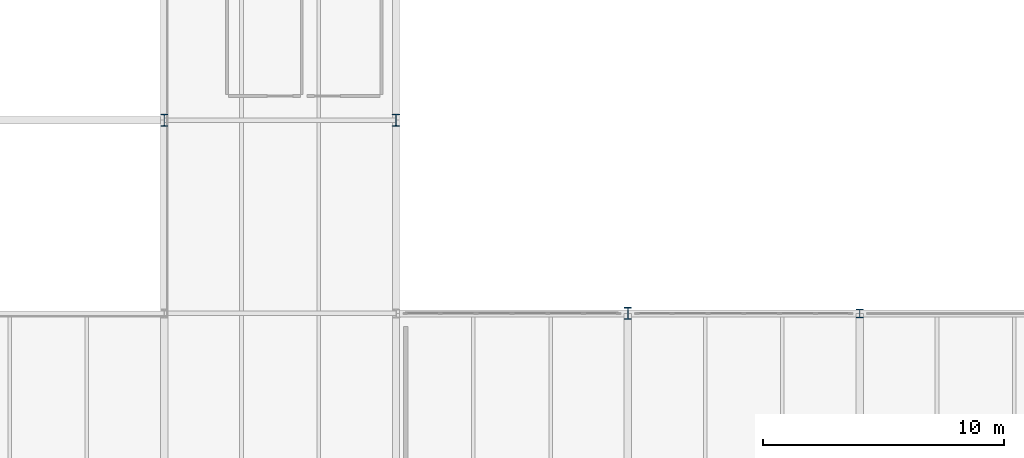
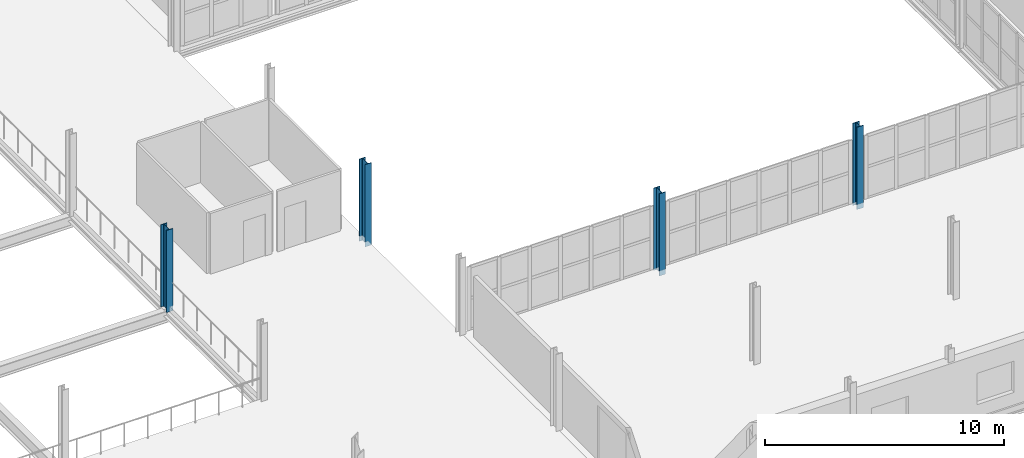
# One storey, part 10 of 78: 4 columns.
"""IFC4 building model written with IfcOpenShell, lengths in metres."""

from ifc_helpers import new_model, si_unit, direction, frame, origin, origin_2d, place, context, subcontext, project, spatial, i_section, extrude, material, material_profile, profile_set, type_object, element, save


model = new_model("IFC4")

# Units and contexts
model_context = context("Model", 3, precision=1e-05, world=origin(), true_north=direction((0.0, 1.0)))
body_context = subcontext(model_context, "Body", "Model", "MODEL_VIEW")
ifc_project = project(units=[si_unit("LENGTHUNIT", "METRE"), si_unit("AREAUNIT", "SQUARE_METRE"), si_unit("VOLUMEUNIT", "CUBIC_METRE"), si_unit("PLANEANGLEUNIT", "RADIAN"), si_unit("MASSUNIT", "GRAM", prefix="KILO")], contexts=[model_context])

# Site, building, storey
site_placement = place(None, origin())
site = spatial("IfcSite", under=ifc_project, at=site_placement, CompositionType="ELEMENT")
building_placement = place(site_placement, origin())
building = spatial("IfcBuilding", under=site, at=building_placement, Name="Alderhovde Museum", CompositionType="ELEMENT")
storey_placement = place(building_placement, frame((0.0, 0.0, 4.5)))
storey = spatial("IfcBuildingStorey", under=building, at=storey_placement, Name="L01", CompositionType="ELEMENT", Elevation=4.5)

# Columns
ifc_material_1 = material(Name="Steel S355J2", Category="steel")
ifc_material_profile_1 = material_profile(ifc_material_1, i_section(OverallWidth=0.300048828125, OverallDepth=0.5, WebThickness=0.014404296875, FlangeThickness=0.028076171875, FilletRadius=0.027099609375, at=origin_2d()), Name="HEB 500")
ifc_profile_set_1 = profile_set([ifc_material_profile_1], Name="Steel S355J2")
column_type_1 = type_object("IfcColumnType", Name="COL-HEB500", PredefinedType="COLUMN", material=ifc_profile_set_1)
for number, where, z_axis, x_axis, name in (
    (1, (105.60009765625, 56.0, -0.260009765625), (0.0, 0.0, 1.0), (1.0, 0.0, 0.0), "L01 Column (105.6, 56.0)"),
    (2, (115.199951171875, 56.0, -0.260009765625), (0.0, 0.0, 1.0), (1.0, 0.0, 0.0), "L01 Column (115.2, 56.0)"),
    (3, (124.800048828125, 48.0, -0.260009765625), (0.0, 0.0, 1.0), (1.0, 0.0, 0.0), "L01 Column (124.8, 48.0)"),
):
    element("IfcColumn", number, at=place(storey_placement, frame(where, z_axis=z_axis, x_axis=x_axis)), inside=storey, type_object=column_type_1, Name=name, PredefinedType="COLUMN", context=body_context, shape_type="SweptSolid", body=[
        extrude(i_section(OverallWidth=0.300048828125, OverallDepth=0.5, WebThickness=0.014404296875, FlangeThickness=0.028076171875, FilletRadius=0.027099609375, at=origin_2d()), origin(), (0.0, 0.0, 1.0), 4.199951171875),
    ])
ifc_material_2 = material(Name="Steel S355J2", Category="steel")
ifc_material_profile_2 = material_profile(ifc_material_2, i_section(OverallWidth=0.30908203125, OverallDepth=0.376953125, WebThickness=0.02099609375, FlangeThickness=0.0400390625, FilletRadius=0.027099609375, at=origin_2d()), Name="HEM 340")
ifc_profile_set_2 = profile_set([ifc_material_profile_2], Name="Steel S355J2")
column_type_2 = type_object("IfcColumnType", Name="COL-HEM340", PredefinedType="COLUMN", material=ifc_profile_set_2)
column_placement = place(storey_placement, frame((134.39990234375, 48.0, -0.260009765625), z_axis=(0.0, 0.0, 1.0), x_axis=(1.0, 0.0, 0.0)))
element("IfcColumn", 4, at=column_placement, inside=storey, type_object=column_type_2, Name="L01 Column (134.4, 48.0)", PredefinedType="COLUMN", context=body_context, shape_type="SweptSolid", body=[
    extrude(i_section(OverallWidth=0.30908203125, OverallDepth=0.376953125, WebThickness=0.02099609375, FlangeThickness=0.0400390625, FilletRadius=0.027099609375, at=origin_2d()), origin(), (0.0, 0.0, 1.0), 4.199951171875),
])

save(model, "model.ifc")
